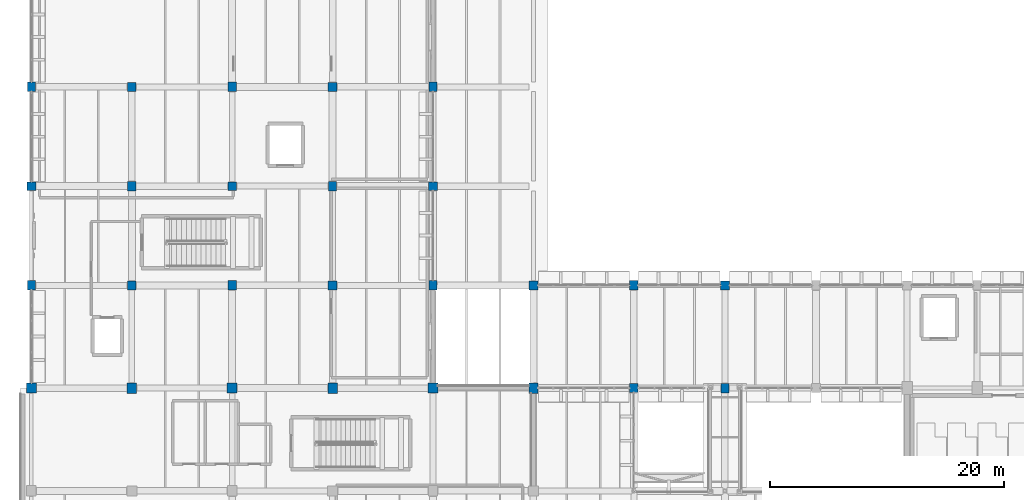
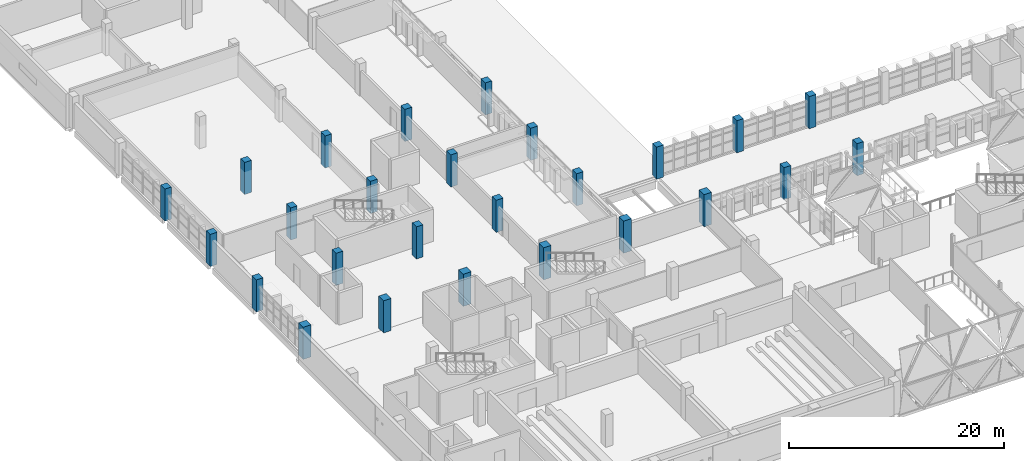
# One storey, part 4 of 80: 26 columns.
"""IFC4 building model written with IfcOpenShell, lengths in metres."""

from ifc_helpers import new_model, si_unit, direction, frame, origin, origin_2d, place, context, subcontext, project, spatial, rectangle, extrude, material, material_profile, profile_set, type_object, element, save


model = new_model("IFC4")

# Units and contexts
model_context = context("Model", 3, precision=1e-05, world=origin(), true_north=direction((0.0, 1.0)))
body_context = subcontext(model_context, "Body", "Model", "MODEL_VIEW")
ifc_project = project(units=[si_unit("LENGTHUNIT", "METRE"), si_unit("AREAUNIT", "SQUARE_METRE"), si_unit("VOLUMEUNIT", "CUBIC_METRE"), si_unit("PLANEANGLEUNIT", "RADIAN"), si_unit("MASSUNIT", "GRAM", prefix="KILO")], contexts=[model_context])

# Site, building, storey
site_placement = place(None, origin())
site = spatial("IfcSite", under=ifc_project, at=site_placement, CompositionType="ELEMENT")
building_placement = place(site_placement, origin())
building = spatial("IfcBuilding", under=site, at=building_placement, Name="Varnakota Cinema and Media Centre", CompositionType="ELEMENT")
storey_placement = place(building_placement, frame((0.0, 0.0, 4.5)))
storey = spatial("IfcBuildingStorey", under=building, at=storey_placement, Name="L01", CompositionType="ELEMENT", Elevation=4.5)

# Columns
ifc_material_1 = material(Name="Concrete M40", Category="concrete")
ifc_material_profile_1 = material_profile(ifc_material_1, rectangle(XDim=0.699951171875, YDim=0.800048828125, at=origin_2d()), Name="RC 700x800")
ifc_profile_set_1 = profile_set([ifc_material_profile_1], Name="Concrete M40")
column_type_1 = type_object("IfcColumnType", Name="COL-RC-700x800", PredefinedType="COLUMN", material=ifc_profile_set_1)
for number, where, z_axis, x_axis, name in (
    (1, (0.0, 44.0, 0.0), (0.0, 0.0, 1.0), (1.0, 0.0, 0.0), "L01 column A/6"),
    (2, (0.0, 61.0, 0.0), (0.0, 0.0, 1.0), (1.0, 0.0, 0.0), "L01 column A/8"),
    (3, (8.60009765625, 52.5, 0.0), (0.0, 0.0, 1.0), (1.0, 0.0, 0.0), "L01 column B/7"),
    (4, (17.199951171875, 44.0, 0.0), (0.0, 0.0, 1.0), (1.0, 0.0, 0.0), "L01 column C/6"),
    (5, (17.199951171875, 61.0, 0.0), (0.0, 0.0, 1.0), (1.0, 0.0, 0.0), "L01 column C/8"),
    (6, (25.800048828125, 52.5, 0.0), (0.0, 0.0, 1.0), (1.0, 0.0, 0.0), "L01 column D/7"),
    (7, (34.39990234375, 44.0, 0.0), (0.0, 0.0, 1.0), (1.0, 0.0, 0.0), "L01 column E/6"),
    (8, (34.39990234375, 61.0, 0.0), (0.0, 0.0, 1.0), (1.0, 0.0, 0.0), "L01 column E/8"),
    (9, (51.60009765625, 44.0, 0.0), (0.0, 0.0, 1.0), (1.0, 0.0, 0.0), "L01 column G/6"),
    (10, (59.39990234375, 35.199951171875, 0.0), (0.0, 0.0, 1.0), (1.0, 0.0, 0.0), "L01 column H/5"),
):
    element("IfcColumn", number, at=place(storey_placement, frame(where, z_axis=z_axis, x_axis=x_axis)), inside=storey, type_object=column_type_1, Name=name, PredefinedType="COLUMN", context=body_context, shape_type="SweptSolid", body=[
        extrude(rectangle(XDim=0.699951171875, YDim=0.800048828125, at=origin_2d()), origin(), (0.0, 0.0, 1.0), 3.64990234375),
    ])
ifc_material_2 = material(Name="Concrete M40", Category="concrete")
ifc_material_profile_2 = material_profile(ifc_material_2, rectangle(XDim=0.75, YDim=0.75, at=origin_2d()), Name="RC 750x750")
ifc_profile_set_2 = profile_set([ifc_material_profile_2], Name="Concrete M40")
column_type_2 = type_object("IfcColumnType", Name="COL-RC-750x750", PredefinedType="COLUMN", material=ifc_profile_set_2)
for number, where, z_axis, x_axis, name in (
    (11, (0.0, 52.5, 0.0), (0.0, 0.0, 1.0), (1.0, 0.0, 0.0), "L01 column A/7"),
    (12, (8.60009765625, 44.0, 0.0), (0.0, 0.0, 1.0), (1.0, 0.0, 0.0), "L01 column B/6"),
    (13, (8.60009765625, 61.0, 0.0), (0.0, 0.0, 1.0), (1.0, 0.0, 0.0), "L01 column B/8"),
    (14, (17.199951171875, 52.5, 0.0), (0.0, 0.0, 1.0), (1.0, 0.0, 0.0), "L01 column C/7"),
    (15, (25.800048828125, 44.0, 0.0), (0.0, 0.0, 1.0), (1.0, 0.0, 0.0), "L01 column D/6"),
    (16, (25.800048828125, 61.0, 0.0), (0.0, 0.0, 1.0), (1.0, 0.0, 0.0), "L01 column D/8"),
    (17, (34.39990234375, 52.5, 0.0), (0.0, 0.0, 1.0), (1.0, 0.0, 0.0), "L01 column E/7"),
    (18, (43.0, 44.0, 0.0), (0.0, 0.0, 1.0), (1.0, 0.0, 0.0), "L01 column F/6"),
    (19, (51.60009765625, 35.199951171875, 0.0), (0.0, 0.0, 1.0), (1.0, 0.0, 0.0), "L01 column G/5"),
    (20, (59.39990234375, 44.0, 0.0), (0.0, 0.0, 1.0), (1.0, 0.0, 0.0), "L01 column H/6"),
):
    element("IfcColumn", number, at=place(storey_placement, frame(where, z_axis=z_axis, x_axis=x_axis)), inside=storey, type_object=column_type_2, Name=name, PredefinedType="COLUMN", context=body_context, shape_type="SweptSolid", body=[
        extrude(rectangle(XDim=0.75, YDim=0.75, at=origin_2d()), origin(), (0.0, 0.0, 1.0), 3.64990234375),
    ])
ifc_material_3 = material(Name="Concrete M40", Category="concrete")
ifc_material_profile_3 = material_profile(ifc_material_3, rectangle(XDim=0.800048828125, YDim=0.89990234375, at=origin_2d()), Name="RC 800x900")
ifc_profile_set_3 = profile_set([ifc_material_profile_3], Name="Concrete M40")
column_type_3 = type_object("IfcColumnType", Name="COL-RC-800x900", PredefinedType="COLUMN", material=ifc_profile_set_3)
for number, where, z_axis, x_axis, name in (
    (21, (8.60009765625, 35.199951171875, 0.0), (0.0, 0.0, 1.0), (1.0, 0.0, 0.0), "L01 column B/5"),
    (22, (25.800048828125, 35.199951171875, 0.0), (0.0, 0.0, 1.0), (1.0, 0.0, 0.0), "L01 column D/5"),
    (23, (43.0, 35.199951171875, 0.0), (0.0, 0.0, 1.0), (1.0, 0.0, 0.0), "L01 column F/5"),
):
    element("IfcColumn", number, at=place(storey_placement, frame(where, z_axis=z_axis, x_axis=x_axis)), inside=storey, type_object=column_type_3, Name=name, PredefinedType="COLUMN", context=body_context, shape_type="SweptSolid", body=[
        extrude(rectangle(XDim=0.800048828125, YDim=0.89990234375, at=origin_2d()), origin(), (0.0, 0.0, 1.0), 3.64990234375),
    ])
ifc_material_4 = material(Name="Concrete M50", Category="concrete")
ifc_material_profile_4 = material_profile(ifc_material_4, rectangle(XDim=0.85009765625, YDim=0.85009765625, at=origin_2d()), Name="RC 850x850")
ifc_profile_set_4 = profile_set([ifc_material_profile_4], Name="Concrete M50")
column_type_4 = type_object("IfcColumnType", Name="COL-RC-850x850", PredefinedType="COLUMN", material=ifc_profile_set_4)
for number, where, z_axis, x_axis, name in (
    (24, (0.0, 35.199951171875, 0.0), (0.0, 0.0, 1.0), (1.0, 0.0, 0.0), "L01 column A/5"),
    (25, (17.199951171875, 35.199951171875, 0.0), (0.0, 0.0, 1.0), (1.0, 0.0, 0.0), "L01 column C/5"),
    (26, (34.39990234375, 35.199951171875, 0.0), (0.0, 0.0, 1.0), (1.0, 0.0, 0.0), "L01 column E/5"),
):
    element("IfcColumn", number, at=place(storey_placement, frame(where, z_axis=z_axis, x_axis=x_axis)), inside=storey, type_object=column_type_4, Name=name, PredefinedType="COLUMN", context=body_context, shape_type="SweptSolid", body=[
        extrude(rectangle(XDim=0.85009765625, YDim=0.85009765625, at=origin_2d()), origin(), (0.0, 0.0, 1.0), 3.64990234375),
    ])

save(model, "model.ifc")
